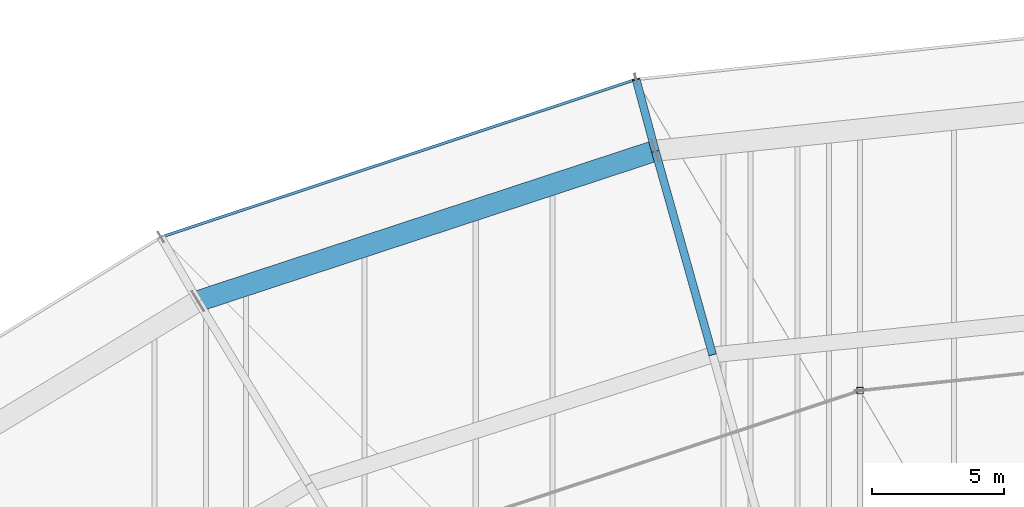
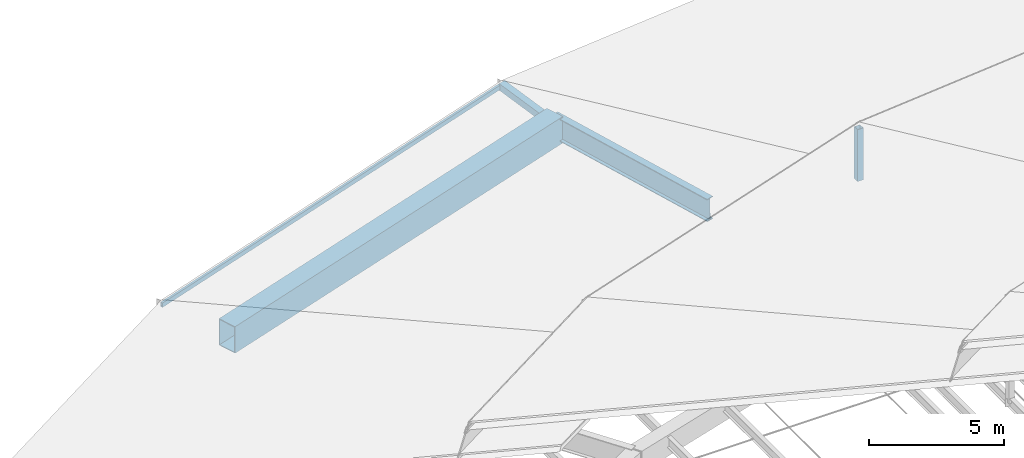
# One storey, part 101 of 184: 3 members, 2 beams.
"""IFC4 building model written with IfcOpenShell, lengths in metres."""

from ifc_helpers import new_model, si_unit, direction, frame, origin, origin_2d, place, context, subcontext, project, spatial, hollow_rectangle, i_section, extrude, material, material_profile, profile_set, type_object, element, save


model = new_model("IFC4")

# Units and contexts
model_context = context("Model", 3, precision=1e-05, world=origin(), true_north=direction((0.0, 1.0)))
body_context = subcontext(model_context, "Body", "Model", "MODEL_VIEW")
ifc_project = project(units=[si_unit("LENGTHUNIT", "METRE"), si_unit("AREAUNIT", "SQUARE_METRE"), si_unit("VOLUMEUNIT", "CUBIC_METRE"), si_unit("PLANEANGLEUNIT", "RADIAN"), si_unit("MASSUNIT", "GRAM", prefix="KILO")], contexts=[model_context])

# Site, building, storey
site_placement = place(None, origin())
site = spatial("IfcSite", under=ifc_project, at=site_placement, CompositionType="ELEMENT")
building_placement = place(site_placement, origin())
building = spatial("IfcBuilding", under=site, at=building_placement, Name="Kalgoora Escarpment Arena", CompositionType="ELEMENT")
storey_placement = place(building_placement, frame((0.0, 0.0, 27.60009765625)))
storey = spatial("IfcBuildingStorey", under=building, at=storey_placement, Name="Roof Level", CompositionType="ELEMENT", Elevation=27.60009765625)

# Beams
ifc_material_1 = material(Name="Structural steel Grade 350 (350 MPa)", Category="steel")
ifc_material_profile_1 = material_profile(ifc_material_1, hollow_rectangle(XDim=0.800048828125, YDim=1.199951171875, WallThickness=0.031982421875, at=origin_2d()))
ifc_profile_set_1 = profile_set([ifc_material_profile_1], Name="Structural steel Grade 350 (350 MPa)")
beam_type_1 = type_object("IfcBeamType", Name="BM-RING-BOX1200", PredefinedType="USERDEFINED", material=ifc_profile_set_1)
beam_1_placement = place(storey_placement, frame((73.81689453125, 119.057861328125, -1.4501953125), z_axis=(-0.949954555117, -0.312388129115, 0.0), x_axis=(0.312388129115, -0.949954555117, 0.0)))
element("IfcBeam", 1, at=beam_1_placement, inside=storey, type_object=beam_type_1, Name="Outer perimeter compression RING BEAM chord 08", ObjectType="GIRDER", PredefinedType="USERDEFINED", context=body_context, shape_type="SweptSolid", body=[
    extrude(hollow_rectangle(XDim=0.800048828125, YDim=1.199951171875, WallThickness=0.031982421875, at=origin_2d()), origin(), (0.0, 0.0, 1.0), 18.229248046875),
])
ifc_material_2 = material(Name="Structural steel Grade 350 (350 MPa)", Category="steel")
ifc_material_profile_2 = material_profile(ifc_material_2, i_section(OverallWidth=0.300048828125, OverallDepth=1.010009765625, WebThickness=0.01611328125, FlangeThickness=0.030029296875, at=origin_2d()))
ifc_profile_set_2 = profile_set([ifc_material_profile_2], Name="Structural steel Grade 350 (350 MPa)")
beam_type_2 = type_object("IfcBeamType", Name="BM-TRUSS-CHORD", PredefinedType="USERDEFINED", material=ifc_profile_set_2)
beam_2_placement = place(storey_placement, frame((73.81689453125, 119.057861328125, -1.400146484375), z_axis=(0.270805551558, -0.962553320372, 0.012468307259), x_axis=(0.962628147734, 0.27082660355, 0.0)))
element("IfcBeam", 2, at=beam_2_placement, inside=storey, type_object=beam_type_2, Name="Outer radial petal support girder R08", ObjectType="GIRDER", PredefinedType="USERDEFINED", context=body_context, shape_type="SweptSolid", body=[
    extrude(i_section(OverallWidth=0.300048828125, OverallDepth=1.010009765625, WebThickness=0.01611328125, FlangeThickness=0.030029296875, at=origin_2d()), origin(), (0.0, 0.0, 1.0), 8.028076171875),
])

# Members
ifc_material_3 = material(Name="Structural steel C450 (450 MPa)", Category="steel")
ifc_material_profile_3 = material_profile(ifc_material_3, hollow_rectangle(XDim=0.25, YDim=0.25, WallThickness=0.012451171875, at=origin_2d()))
ifc_profile_set_3 = profile_set([ifc_material_profile_3], Name="Structural steel C450 (450 MPa)")
member_type_1 = type_object("IfcMemberType", Name="MEM-PETAL-POST", PredefinedType="POST", material=ifc_profile_set_3)
member_1_placement = place(storey_placement, frame((81.574462890625, 109.97802734375, -1.080078125), z_axis=(0.0, 0.0, 1.0), x_axis=(1.0, 0.0, 0.0)))
element("IfcMember", 3, at=member_1_placement, inside=storey, type_object=member_type_1, Name="Petal RP2 vertical support post S08", PredefinedType="POST", context=body_context, shape_type="SweptSolid", body=[
    extrude(hollow_rectangle(XDim=0.25, YDim=0.25, WallThickness=0.012451171875, at=origin_2d()), origin(), (0.0, 0.0, 1.0), 2.344970703125),
])
ifc_material_4 = material(Name="Structural steel C350 (350 MPa)", Category="steel")
ifc_material_profile_4 = material_profile(ifc_material_4, hollow_rectangle(XDim=0.10009765625, YDim=0.199951171875, WallThickness=0.009033203125, at=origin_2d()))
ifc_profile_set_4 = profile_set([ifc_material_profile_4], Name="Structural steel C350 (350 MPa)")
member_type_2 = type_object("IfcMemberType", Name="MEM-PURLIN-RHS", PredefinedType="PURLIN", material=ifc_profile_set_4)
member_2_placement = place(storey_placement, frame((73.092041015625, 121.762451171875, -1.02001953125), z_axis=(-0.949049684194, -0.315126477675, 0.0), x_axis=(0.315126477675, -0.949049684194, 0.0)))
element("IfcMember", 4, at=member_2_placement, inside=storey, type_object=member_type_2, Name="Petal RP1 eave support ring purlin S08", PredefinedType="PURLIN", context=body_context, shape_type="SweptSolid", body=[
    extrude(hollow_rectangle(XDim=0.10009765625, YDim=0.199951171875, WallThickness=0.009033203125, at=origin_2d()), origin(), (0.0, 0.0, 1.0), 18.957763671875),
])
ifc_material_5 = material(Name="Structural steel C450 (450 MPa)", Category="steel")
ifc_material_profile_5 = material_profile(ifc_material_5, hollow_rectangle(XDim=0.300048828125, YDim=0.300048828125, WallThickness=0.012451171875, at=origin_2d()))
ifc_profile_set_5 = profile_set([ifc_material_profile_5], Name="Structural steel C450 (450 MPa)")
member_type_3 = type_object("IfcMemberType", Name="MEM-TRUSS-POST", PredefinedType="POST", material=ifc_profile_set_5)
member_3_placement = place(storey_placement, frame((73.81689453125, 119.057861328125, -1.400146484375), z_axis=(-0.256269035723, 0.956196826452, 0.141470174991), x_axis=(-0.965911463294, -0.258872642582, 0.0)))
element("IfcMember", 5, at=member_3_placement, inside=storey, type_object=member_type_3, Name="Petal RP1 eave strut S08", PredefinedType="POST", context=body_context, shape_type="SweptSolid", body=[
    extrude(hollow_rectangle(XDim=0.300048828125, YDim=0.300048828125, WallThickness=0.012451171875, at=origin_2d()), origin(), (0.0, 0.0, 1.0), 2.828369140625),
])

save(model, "model.ifc")
